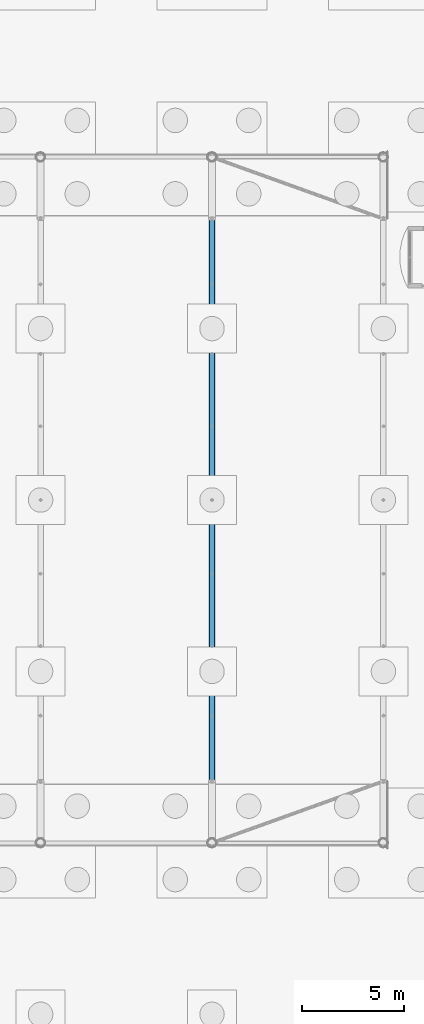
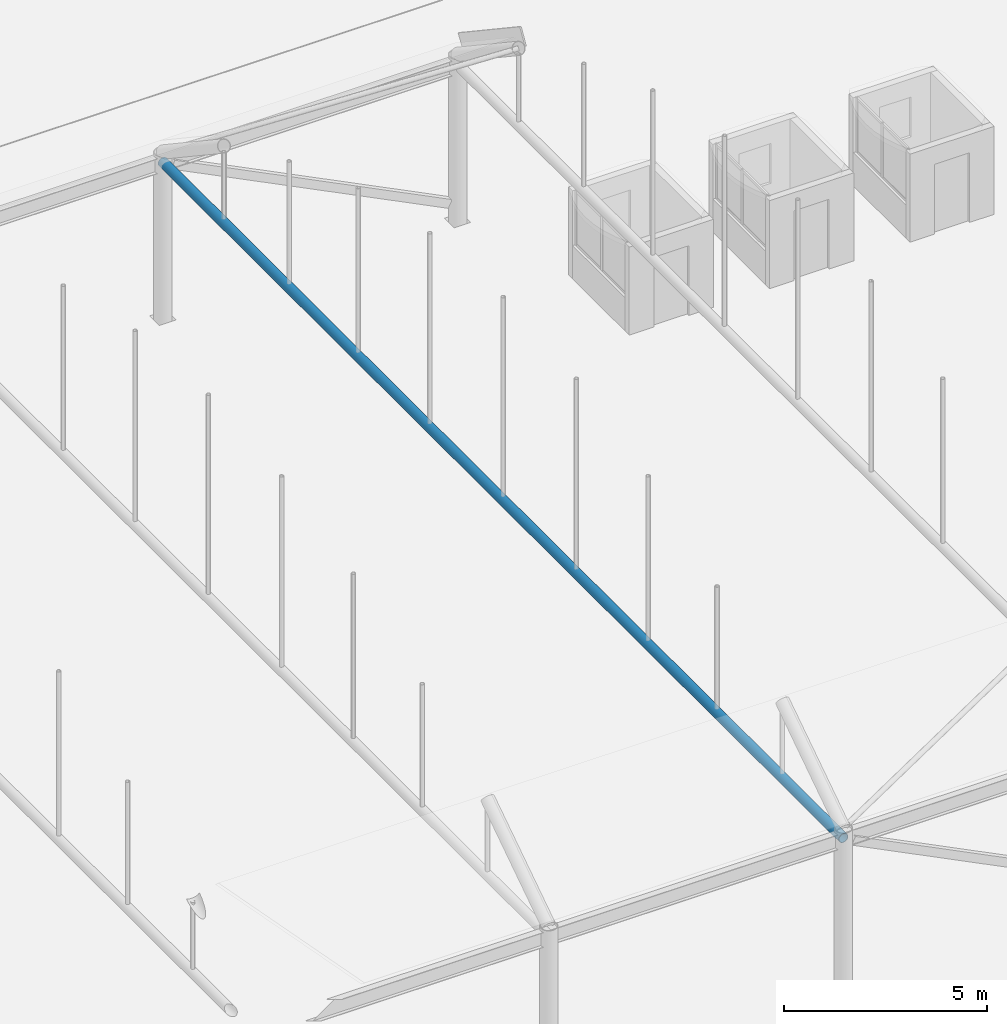
# One storey, part 72 of 212: 1 beam.
"""IFC4 building model written with IfcOpenShell, lengths in metres."""

from ifc_helpers import new_model, si_unit, direction, frame, origin, origin_2d, place, context, subcontext, project, spatial, hollow_circle, extrude, material, material_profile, profile_set, type_object, element, save


model = new_model("IFC4")

# Units and contexts
model_context = context("Model", 3, precision=1e-05, world=origin(), true_north=direction((0.0, 1.0)))
body_context = subcontext(model_context, "Body", "Model", "MODEL_VIEW")
ifc_project = project(units=[si_unit("LENGTHUNIT", "METRE"), si_unit("AREAUNIT", "SQUARE_METRE"), si_unit("VOLUMEUNIT", "CUBIC_METRE"), si_unit("PLANEANGLEUNIT", "RADIAN"), si_unit("MASSUNIT", "GRAM", prefix="KILO")], contexts=[model_context])

# Site, building, storey
site_placement = place(None, origin())
site = spatial("IfcSite", under=ifc_project, at=site_placement, CompositionType="ELEMENT")
building_placement = place(site_placement, origin())
building = spatial("IfcBuilding", under=site, at=building_placement, Name="Catenary Quay Ferry Terminal", CompositionType="ELEMENT")
storey_placement = place(building_placement, origin())
storey = spatial("IfcBuildingStorey", under=building, at=storey_placement, Name="L00", CompositionType="ELEMENT", Elevation=0.0)

# Beam
ifc_material = material(Name="Steel S355", Category="steel")
ifc_material_profile = material_profile(ifc_material, hollow_circle(Radius=0.136474609375, WallThickness=0.012451171875, at=origin_2d()), Name="CHS 273x12.5")
ifc_profile_set = profile_set([ifc_material_profile], Name="Steel S355")
beam_type = type_object("IfcBeamType", Name="TB1 CHS 273x12.5", PredefinedType="BEAM", material=ifc_profile_set)
beam_placement = place(storey_placement, frame((92.39990234375, 16.800048828125, 4.699951171875), z_axis=(0.0, 1.0, 0.0), x_axis=(-1.0, 0.0, 0.0)))
element("IfcBeam", 1, at=beam_placement, inside=storey, type_object=beam_type, Name="tie beam CA-10", PredefinedType="BEAM", context=body_context, shape_type="SweptSolid", body=[
    extrude(hollow_circle(Radius=0.136474609375, WallThickness=0.012451171875, at=origin_2d()), origin(), (0.0, 0.0, 1.0), 33.599853515625),
])

save(model, "model.ifc")
